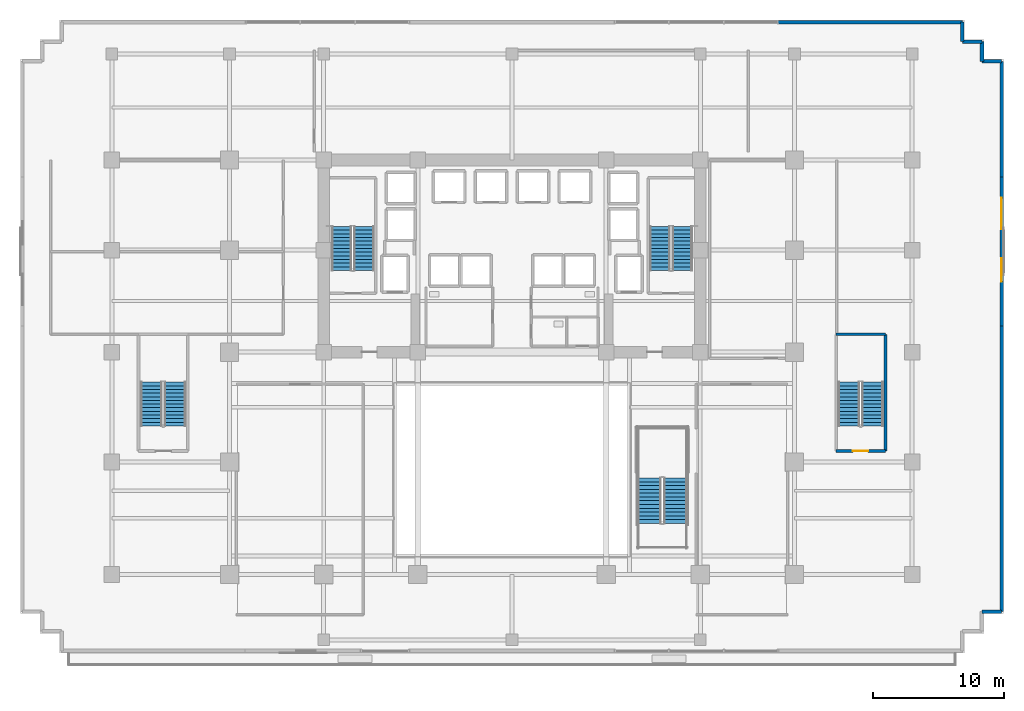
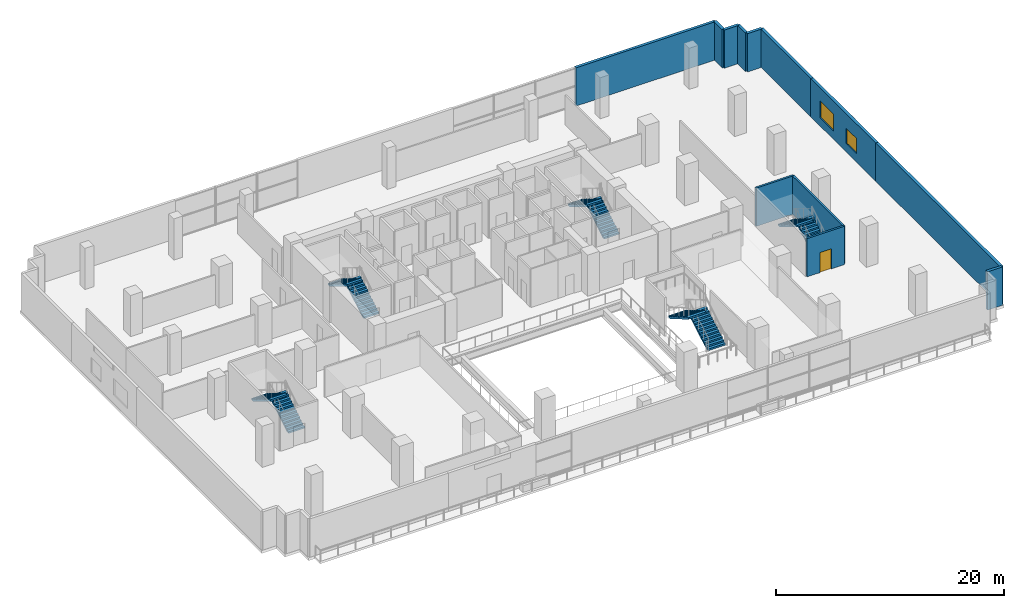
# One storey, part 15 of 22: 12 walls, 10 stair flights, 2 windows, 1 door, 3 openings, 5 elements without a shape of their own.
"""IFC4 building model written with IfcOpenShell, lengths in metres."""

from ifc_helpers import new_model, si_unit, direction, frame, frame_2d, origin, place, context, subcontext, project, spatial, polyline, rectangle, outline, extrude, source, transform, mapped, material, layer, layer_set, type_object, element, fill, aggregate, save


model = new_model("IFC4")

# Units and contexts
model_context = context("Model", 3, precision=1e-05, world=origin(), true_north=direction((0.0, 1.0)))
body_context = subcontext(model_context, "Body", "Model", "MODEL_VIEW")
ifc_project = project(units=[si_unit("LENGTHUNIT", "METRE"), si_unit("AREAUNIT", "SQUARE_METRE"), si_unit("VOLUMEUNIT", "CUBIC_METRE"), si_unit("PLANEANGLEUNIT", "RADIAN"), si_unit("MASSUNIT", "GRAM", prefix="KILO")], contexts=[model_context])

# Site, building, storey
site_placement = place(None, origin())
site = spatial("IfcSite", under=ifc_project, at=site_placement, CompositionType="ELEMENT")
building_placement = place(site_placement, origin())
building = spatial("IfcBuilding", under=site, at=building_placement, Name="Zarnakvel Exchange Tower", CompositionType="ELEMENT")
storey_placement = place(building_placement, frame((0.0, 0.0, 9.39990234375)))
storey = spatial("IfcBuildingStorey", under=building, at=storey_placement, Name="L02", CompositionType="ELEMENT", Elevation=9.39990234375)

# Wall, openings, windows
ifc_material_1 = material(Name="Precast concrete C40/50", Category="concrete")
ifc_layer_1 = layer(ifc_material_1, 0.280029296875)
ifc_layer_set_1 = layer_set([ifc_layer_1], Name="Precast concrete C40/50")
wall_type_1 = type_object("IfcWallType", Name="EW-01", PredefinedType="SOLIDWALL", material=ifc_layer_set_1)
wall_1_placement = place(storey_placement, frame((37.43994140625, 12.199951171875, 0.0), z_axis=(0.0, 0.0, 1.0), x_axis=(0.0, -1.0, 0.0)))
wall_1 = element("IfcWall", 1, at=wall_1_placement, inside=storey, type_object=wall_type_1, Name="L02 Exterior Precast Spandrel Wall EW-L02-EF (EW-01)", PredefinedType="SOLIDWALL", context=body_context, shape_type="SweptSolid", body=[
    extrude(rectangle(XDim=11.39990234375, YDim=0.280029296875, at=frame_2d((5.699951171875, 0.0))), origin(), (0.0, 0.0, 1.0), 4.10009765625),
])
opening_1_placement = place(wall_1_placement, frame((1.60009765625, 0.0, 0.89990234375)))
opening_1 = element("IfcOpeningElement", 2, at=opening_1_placement, cuts=wall_1, Name="Opening WN-01", PredefinedType="OPENING", context=body_context, shape_type="SweptSolid", body=[
    extrude(rectangle(XDim=2.39990234375, YDim=1.800048828125, at=frame_2d((1.199951171875, 0.89990234375))), frame((0.0, 0.14990234375, 0.0), z_axis=(0.0, -1.0, 0.0), x_axis=(1.0, 0.0, 0.0)), (0.0, 0.0, 1.0), 0.300048828125),
])
opening_2_placement = place(wall_1_placement, frame((6.199951171875, 0.0, 0.89990234375)))
opening_2 = element("IfcOpeningElement", 3, at=opening_2_placement, cuts=wall_1, Name="Opening WN-02", PredefinedType="OPENING", context=body_context, shape_type="SweptSolid", body=[
    extrude(rectangle(XDim=1.800048828125, YDim=1.64990234375, at=frame_2d((0.89990234375, 0.824951171875))), frame((0.0, 0.14990234375, 0.0), z_axis=(0.0, -1.0, 0.0), x_axis=(1.0, 0.0, 0.0)), (0.0, 0.0, 1.0), 0.300048828125),
])
ifc_material_2 = material(Name="Double Low-E Laminated Vision Glass", Category="glass")
window_type_1 = type_object("IfcWindowType", Name="WN-01", PartitioningType="SINGLE_PANEL", PredefinedType="WINDOW", material=ifc_material_2)
shared_shape_1 = source(origin(), body_context, "Body", "SweptSolid", [
    extrude(rectangle(XDim=2.39990234375, YDim=1.800048828125, at=frame_2d((1.199951171875, 0.89990234375))), frame((0.0, 0.030029296875, 0.0), z_axis=(0.0, -1.0, 0.0), x_axis=(1.0, 0.0, 0.0)), (0.0, 0.0, 1.0), 0.06005859375),
])
window_1_placement = place(opening_1_placement, origin())
window_1 = element("IfcWindow", 4, at=window_1_placement, inside=storey, type_object=window_type_1, Name="L02 East Flank Window 1", OverallHeight=1.800048828125, OverallWidth=2.39990234375, PartitioningType="SINGLE_PANEL", PredefinedType="WINDOW", context=body_context, shape_type="MappedRepresentation", body=[
    mapped(shared_shape_1, transform((0.0, 0.0, 0.0), x_axis=(1.0, 0.0, 0.0), y_axis=(0.0, 1.0, 0.0), z_axis=(0.0, 0.0, 1.0), scale=1.0)),
])
fill(opening_1, window_1)
window_type_2 = type_object("IfcWindowType", Name="WN-02", PartitioningType="SINGLE_PANEL", PredefinedType="WINDOW", material=ifc_material_2)
shared_shape_2 = source(origin(), body_context, "Body", "SweptSolid", [
    extrude(rectangle(XDim=1.800048828125, YDim=1.64990234375, at=frame_2d((0.89990234375, 0.824951171875))), frame((0.0, 0.030029296875, 0.0), z_axis=(0.0, -1.0, 0.0), x_axis=(1.0, 0.0, 0.0)), (0.0, 0.0, 1.0), 0.06005859375),
])
window_2_placement = place(opening_2_placement, origin())
window_2 = element("IfcWindow", 5, at=window_2_placement, inside=storey, type_object=window_type_2, Name="L02 East Flank Window 2", OverallHeight=1.64990234375, OverallWidth=1.800048828125, PartitioningType="SINGLE_PANEL", PredefinedType="WINDOW", context=body_context, shape_type="MappedRepresentation", body=[
    mapped(shared_shape_2, transform((0.0, 0.0, 0.0), x_axis=(1.0, 0.0, 0.0), y_axis=(0.0, 1.0, 0.0), z_axis=(0.0, 0.0, 1.0), scale=1.0)),
])
fill(opening_2, window_2)

# Walls
wall_2_placement = place(storey_placement, frame((34.43994140625, 24.0400390625, 0.0), z_axis=(0.0, 0.0, 1.0), x_axis=(-1.0, 0.0, 0.0)))
element("IfcWall", 6, at=wall_2_placement, inside=storey, type_object=wall_type_1, Name="L02 Exterior Precast Spandrel Wall EWC-L02-09 (EW-01)", PredefinedType="SOLIDWALL", context=body_context, shape_type="SweptSolid", body=[
    extrude(rectangle(XDim=14.135009765625, YDim=0.280029296875, at=frame_2d((7.0673828125, 0.0))), origin(), (0.0, 0.0, 1.0), 4.10009765625),
])
for number, where, z_axis, x_axis, name in (
    (7, (34.43994140625, 22.5400390625, 0.0), (0.0, 0.0, 1.0), (0.0, 1.0, 0.0), "L02 Exterior Precast Spandrel Wall EWC-L02-10 (EW-01)"),
    (8, (35.93994140625, 22.5400390625, 0.0), (0.0, 0.0, 1.0), (-1.0, 0.0, 0.0), "L02 Exterior Precast Spandrel Wall EWC-L02-11 (EW-01)"),
    (9, (35.93994140625, 21.0400390625, 0.0), (0.0, 0.0, 1.0), (0.0, 1.0, 0.0), "L02 Exterior Precast Spandrel Wall EWC-L02-12 (EW-01)"),
    (10, (37.43994140625, 21.0400390625, 0.0), (0.0, 0.0, 1.0), (-1.0, 0.0, 0.0), "L02 Exterior Precast Spandrel Wall EWC-L02-13 (EW-01)"),
):
    element("IfcWall", number, at=place(storey_placement, frame(where, z_axis=z_axis, x_axis=x_axis)), inside=storey, type_object=wall_type_1, Name=name, PredefinedType="SOLIDWALL", context=body_context, shape_type="SweptSolid", body=[
        extrude(rectangle(XDim=1.5, YDim=0.280029296875, at=frame_2d((0.75, 0.0))), origin(), (0.0, 0.0, 1.0), 4.10009765625),
    ])
wall_3_placement = place(storey_placement, frame((37.43994140625, 12.199951171875, 0.0), z_axis=(0.0, 0.0, 1.0), x_axis=(0.0, 1.0, 0.0)))
element("IfcWall", 11, at=wall_3_placement, inside=storey, type_object=wall_type_1, Name="L02 Exterior Precast Spandrel Wall EWC-L02-14 (EW-01)", PredefinedType="SOLIDWALL", context=body_context, shape_type="SweptSolid", body=[
    extrude(rectangle(XDim=8.840087890625, YDim=0.280029296875, at=frame_2d((4.419921875, 0.0))), origin(), (0.0, 0.0, 1.0), 4.10009765625),
])
wall_4_placement = place(storey_placement, frame((37.43994140625, -21.0400390625, 0.0), z_axis=(0.0, 0.0, 1.0), x_axis=(0.0, 1.0, 0.0)))
element("IfcWall", 12, at=wall_4_placement, inside=storey, type_object=wall_type_1, Name="L02 Exterior Precast Spandrel Wall EWC-L02-15 (EW-01)", PredefinedType="SOLIDWALL", context=body_context, shape_type="SweptSolid", body=[
    extrude(rectangle(XDim=21.840087890625, YDim=0.280029296875, at=frame_2d((10.919921875, 0.0))), origin(), (0.0, 0.0, 1.0), 4.10009765625),
])
wall_5_placement = place(storey_placement, frame((35.93994140625, -21.0400390625, 0.0), z_axis=(0.0, 0.0, 1.0), x_axis=(1.0, 0.0, 0.0)))
element("IfcWall", 13, at=wall_5_placement, inside=storey, type_object=wall_type_1, Name="L02 Exterior Precast Spandrel Wall EWC-L02-16 (EW-01)", PredefinedType="SOLIDWALL", context=body_context, shape_type="SweptSolid", body=[
    extrude(rectangle(XDim=1.5, YDim=0.280029296875, at=frame_2d((0.75, 0.0))), origin(), (0.0, 0.0, 1.0), 4.10009765625),
])

# Wall, opening, door
ifc_material_3 = material(Name="Concrete C40/50", Category="concrete")
ifc_layer_2 = layer(ifc_material_3, 0.199951171875)
ifc_layer_set_2 = layer_set([ifc_layer_2], Name="Concrete C40/50")
wall_type_2 = type_object("IfcWallType", Name="SW-02", PredefinedType="SOLIDWALL", material=ifc_layer_set_2)
wall_6_placement = place(storey_placement, frame((28.56005859375, -8.760009765625, 0.0), z_axis=(0.0, 0.0, 1.0), x_axis=(-1.0, 0.0, 0.0)))
wall_6 = element("IfcWall", 14, at=wall_6_placement, inside=storey, type_object=wall_type_2, Name="L02 Stairwell Core Wall PWALL-L02-026 (SW-02)", PredefinedType="SOLIDWALL", context=body_context, shape_type="SweptSolid", body=[
    extrude(rectangle(XDim=3.77001953125, YDim=0.199951171875, at=frame_2d((1.885009765625, 0.0))), origin(), (0.0, 0.0, 1.0), 4.10009765625),
])
opening_3_placement = place(wall_6_placement, frame((1.3349609375, 0.0, 0.0)))
opening_3 = element("IfcOpeningElement", 15, at=opening_3_placement, cuts=wall_6, Name="Opening D-L02-10", PredefinedType="OPENING", context=body_context, shape_type="SweptSolid", body=[
    extrude(rectangle(XDim=1.14990234375, YDim=2.14990234375, at=frame_2d((0.574951171875, 1.074951171875))), frame((0.0, 0.10986328125, 0.0), z_axis=(0.0, -1.0, 0.0), x_axis=(1.0, 0.0, 0.0)), (0.0, 0.0, 1.0), 0.219970703125),
])
ifc_material_4 = material(Name="Painted Galvanised Steel S355", Category="steel")
door_type = type_object("IfcDoorType", Name="DT-04", OperationType="NOTDEFINED", PredefinedType="DOOR", material=ifc_material_4)
shared_shape_3 = source(origin(), body_context, "Body", "SweptSolid", [
    extrude(rectangle(XDim=1.14990234375, YDim=2.14990234375, at=frame_2d((0.574951171875, 1.074951171875))), frame((0.0, 0.02490234375, 0.0), z_axis=(0.0, -1.0, 0.0), x_axis=(1.0, 0.0, 0.0)), (0.0, 0.0, 1.0), 0.050048828125),
])
door_placement = place(opening_3_placement, origin())
door = element("IfcDoor", 16, at=door_placement, inside=storey, type_object=door_type, Name="L02 Stairwell ST-04 Door D-L02-10", OperationType="SINGLE_SWING_RIGHT", OverallHeight=2.14990234375, OverallWidth=1.14990234375, PredefinedType="DOOR", context=body_context, shape_type="MappedRepresentation", body=[
    mapped(shared_shape_3, transform((0.0, 0.0, 0.0), x_axis=(1.0, 0.0, 0.0), y_axis=(0.0, 1.0, 0.0), z_axis=(0.0, 0.0, 1.0), scale=1.0)),
])
fill(opening_3, door)

# Walls
wall_7_placement = place(storey_placement, frame((24.7900390625, 0.159912109375, 0.0), z_axis=(0.0, 0.0, 1.0), x_axis=(1.0, 0.0, 0.0)))
element("IfcWall", 17, at=wall_7_placement, inside=storey, type_object=wall_type_2, Name="L02 Stairwell Core Wall PWALL-L02-027 (SW-02)", PredefinedType="SOLIDWALL", context=body_context, shape_type="SweptSolid", body=[
    extrude(rectangle(XDim=3.77001953125, YDim=0.199951171875, at=frame_2d((1.885009765625, 0.0))), origin(), (0.0, 0.0, 1.0), 4.10009765625),
])
wall_8_placement = place(storey_placement, frame((28.56005859375, 0.159912109375, 0.0), z_axis=(0.0, 0.0, 1.0), x_axis=(0.0, -1.0, 0.0)))
element("IfcWall", 18, at=wall_8_placement, inside=storey, type_object=wall_type_2, Name="L02 Stairwell Core Wall PWALL-L02-029 (SW-02)", PredefinedType="SOLIDWALL", context=body_context, shape_type="SweptSolid", body=[
    extrude(rectangle(XDim=8.919921875, YDim=0.199951171875, at=frame_2d((4.4599609375, 0.0))), origin(), (0.0, 0.0, 1.0), 4.10009765625),
])

# Stair, stair flights
stair_type_1 = type_object("IfcStairType", Name="STR-01", PredefinedType="HALF_TURN_STAIR", material=ifc_material_3)
stair_1_placement = place(storey_placement, origin())
stair_1 = element("IfcStair", 19, at=stair_1_placement, inside=storey, type_object=stair_type_1, Name="L02 Protected Core Exit Stair ST-01", PredefinedType="HALF_TURN_STAIR")
stair_flight_type_1 = type_object("IfcStairFlightType", Name="FLT-01", PredefinedType="STRAIGHT", material=ifc_material_3)
stair_flight_1_placement = place(storey_placement, frame((-11.31494140625, 5.050048828125, 0.0), z_axis=(0.0, 0.0, 1.0), x_axis=(0.0, 1.0, 0.0)))
stair_flight_1 = element("IfcStairFlight", 20, at=stair_flight_1_placement, type_object=stair_flight_type_1, Name="ST-01 flight 1", NumberOfRisers=13, NumberOfTreads=12, PredefinedType="STRAIGHT", RiserHeight=0.169230769, TreadLength=0.28, context=body_context, shape_type="SweptSolid", body=[
    extrude(outline(polyline([(0.0, 0.0), (0.0, 0.169189453125), (0.280029296875, 0.169189453125), (0.280029296875, 0.33837890625), (0.56005859375, 0.33837890625), (0.56005859375, 0.5078125), (0.840087890625, 0.5078125), (0.840087890625, 0.677001953125), (1.1201171875, 0.677001953125), (1.1201171875, 0.84619140625), (1.39990234375, 0.84619140625), (1.39990234375, 1.015380859375), (1.679931640625, 1.015380859375), (1.679931640625, 1.1845703125), (1.9599609375, 1.1845703125), (1.9599609375, 1.353759765625), (2.239990234375, 1.353759765625), (2.239990234375, 1.523193359375), (2.52001953125, 1.523193359375), (2.52001953125, 1.6923828125), (2.800048828125, 1.6923828125), (2.800048828125, 1.861572265625), (3.080078125, 1.861572265625), (3.080078125, 2.03076171875), (3.360107421875, 2.03076171875), (3.360107421875, 2.199951171875), (3.360107421875, 1.855712890625), (0.289794921875, 0.0), (0.0, 0.0)])), frame((0.0, 0.77490234375, 0.0), z_axis=(0.0, -1.0, 0.0), x_axis=(1.0, 0.0, 0.0)), (0.0, 0.0, 1.0), 1.550048828125),
])
stair_flight_2_placement = place(storey_placement, frame((-13.02490234375, 8.409912109375, 2.2001953125), z_axis=(0.0, 0.0, 1.0), x_axis=(0.0, -1.0, 0.0)))
stair_flight_2 = element("IfcStairFlight", 21, at=stair_flight_2_placement, type_object=stair_flight_type_1, Name="ST-01 flight 2", NumberOfRisers=13, NumberOfTreads=12, PredefinedType="STRAIGHT", RiserHeight=0.169230769, TreadLength=0.28, context=body_context, shape_type="SweptSolid", body=[
    extrude(outline(polyline([(0.0, 0.0), (0.0, 0.169189453125), (0.280029296875, 0.169189453125), (0.280029296875, 0.33837890625), (0.56005859375, 0.33837890625), (0.56005859375, 0.5078125), (0.840087890625, 0.5078125), (0.840087890625, 0.677001953125), (1.1201171875, 0.677001953125), (1.1201171875, 0.84619140625), (1.39990234375, 0.84619140625), (1.39990234375, 1.015380859375), (1.679931640625, 1.015380859375), (1.679931640625, 1.1845703125), (1.9599609375, 1.1845703125), (1.9599609375, 1.353759765625), (2.239990234375, 1.353759765625), (2.239990234375, 1.523193359375), (2.52001953125, 1.523193359375), (2.52001953125, 1.6923828125), (2.800048828125, 1.6923828125), (2.800048828125, 1.861572265625), (3.080078125, 1.861572265625), (3.080078125, 2.03076171875), (3.360107421875, 2.03076171875), (3.360107421875, 2.199951171875), (3.360107421875, 1.855712890625), (0.289794921875, 0.0), (0.0, 0.0)])), frame((0.0, 0.77490234375, 0.0), z_axis=(0.0, -1.0, 0.0), x_axis=(1.0, 0.0, 0.0)), (0.0, 0.0, 1.0), 1.550048828125),
])
aggregate(stair_1, [stair_flight_1, stair_flight_2])

stair_2_placement = place(storey_placement, origin())
stair_2 = element("IfcStair", 22, at=stair_2_placement, inside=storey, type_object=stair_type_1, Name="L02 Protected Core Exit Stair ST-02", PredefinedType="HALF_TURN_STAIR")
stair_flight_3_placement = place(storey_placement, frame((13.02490234375, 5.050048828125, 0.0), z_axis=(0.0, 0.0, 1.0), x_axis=(0.0, 1.0, 0.0)))
stair_flight_3 = element("IfcStairFlight", 23, at=stair_flight_3_placement, type_object=stair_flight_type_1, Name="ST-02 flight 1", NumberOfRisers=13, NumberOfTreads=12, PredefinedType="STRAIGHT", RiserHeight=0.169230769, TreadLength=0.28, context=body_context, shape_type="SweptSolid", body=[
    extrude(outline(polyline([(0.0, 0.0), (0.0, 0.169189453125), (0.280029296875, 0.169189453125), (0.280029296875, 0.33837890625), (0.56005859375, 0.33837890625), (0.56005859375, 0.5078125), (0.840087890625, 0.5078125), (0.840087890625, 0.677001953125), (1.1201171875, 0.677001953125), (1.1201171875, 0.84619140625), (1.39990234375, 0.84619140625), (1.39990234375, 1.015380859375), (1.679931640625, 1.015380859375), (1.679931640625, 1.1845703125), (1.9599609375, 1.1845703125), (1.9599609375, 1.353759765625), (2.239990234375, 1.353759765625), (2.239990234375, 1.523193359375), (2.52001953125, 1.523193359375), (2.52001953125, 1.6923828125), (2.800048828125, 1.6923828125), (2.800048828125, 1.861572265625), (3.080078125, 1.861572265625), (3.080078125, 2.03076171875), (3.360107421875, 2.03076171875), (3.360107421875, 2.199951171875), (3.360107421875, 1.855712890625), (0.289794921875, 0.0), (0.0, 0.0)])), frame((0.0, 0.77490234375, 0.0), z_axis=(0.0, -1.0, 0.0), x_axis=(1.0, 0.0, 0.0)), (0.0, 0.0, 1.0), 1.550048828125),
])
stair_flight_4_placement = place(storey_placement, frame((11.31494140625, 8.409912109375, 2.2001953125), z_axis=(0.0, 0.0, 1.0), x_axis=(0.0, -1.0, 0.0)))
stair_flight_4 = element("IfcStairFlight", 24, at=stair_flight_4_placement, type_object=stair_flight_type_1, Name="ST-02 flight 2", NumberOfRisers=13, NumberOfTreads=12, PredefinedType="STRAIGHT", RiserHeight=0.169230769, TreadLength=0.28, context=body_context, shape_type="SweptSolid", body=[
    extrude(outline(polyline([(0.0, 0.0), (0.0, 0.169189453125), (0.280029296875, 0.169189453125), (0.280029296875, 0.33837890625), (0.56005859375, 0.33837890625), (0.56005859375, 0.5078125), (0.840087890625, 0.5078125), (0.840087890625, 0.677001953125), (1.1201171875, 0.677001953125), (1.1201171875, 0.84619140625), (1.39990234375, 0.84619140625), (1.39990234375, 1.015380859375), (1.679931640625, 1.015380859375), (1.679931640625, 1.1845703125), (1.9599609375, 1.1845703125), (1.9599609375, 1.353759765625), (2.239990234375, 1.353759765625), (2.239990234375, 1.523193359375), (2.52001953125, 1.523193359375), (2.52001953125, 1.6923828125), (2.800048828125, 1.6923828125), (2.800048828125, 1.861572265625), (3.080078125, 1.861572265625), (3.080078125, 2.03076171875), (3.360107421875, 2.03076171875), (3.360107421875, 2.199951171875), (3.360107421875, 1.855712890625), (0.289794921875, 0.0), (0.0, 0.0)])), frame((0.0, 0.77490234375, 0.0), z_axis=(0.0, -1.0, 0.0), x_axis=(1.0, 0.0, 0.0)), (0.0, 0.0, 1.0), 1.550048828125),
])
aggregate(stair_2, [stair_flight_3, stair_flight_4])

stair_type_2 = type_object("IfcStairType", Name="STR-02", PredefinedType="HALF_TURN_STAIR", material=ifc_material_3)
stair_3_placement = place(storey_placement, origin())
stair_3 = element("IfcStair", 25, at=stair_3_placement, inside=storey, type_object=stair_type_2, Name="L02 Podium West Exit Stair ST-03", PredefinedType="HALF_TURN_STAIR")
stair_flight_type_2 = type_object("IfcStairFlightType", Name="FLT-02", PredefinedType="STRAIGHT", material=ifc_material_3)
stair_flight_5_placement = place(storey_placement, frame((-25.764892578125, -6.85009765625, 0.0), z_axis=(0.0, 0.0, 1.0), x_axis=(0.0, 1.0, 0.0)))
stair_flight_5 = element("IfcStairFlight", 26, at=stair_flight_5_placement, type_object=stair_flight_type_2, Name="ST-03 flight 1", NumberOfRisers=13, NumberOfTreads=12, PredefinedType="STRAIGHT", RiserHeight=0.169230769, TreadLength=0.28, context=body_context, shape_type="SweptSolid", body=[
    extrude(outline(polyline([(0.0, 0.0), (0.0, 0.169189453125), (0.280029296875, 0.169189453125), (0.280029296875, 0.33837890625), (0.56005859375, 0.33837890625), (0.56005859375, 0.5078125), (0.840087890625, 0.5078125), (0.840087890625, 0.677001953125), (1.1201171875, 0.677001953125), (1.1201171875, 0.84619140625), (1.39990234375, 0.84619140625), (1.39990234375, 1.015380859375), (1.679931640625, 1.015380859375), (1.679931640625, 1.1845703125), (1.9599609375, 1.1845703125), (1.9599609375, 1.353759765625), (2.239990234375, 1.353759765625), (2.239990234375, 1.523193359375), (2.52001953125, 1.523193359375), (2.52001953125, 1.6923828125), (2.800048828125, 1.6923828125), (2.800048828125, 1.861572265625), (3.080078125, 1.861572265625), (3.080078125, 2.03076171875), (3.360107421875, 2.03076171875), (3.360107421875, 2.199951171875), (3.360107421875, 1.855712890625), (0.289794921875, 0.0), (0.0, 0.0)])), frame((0.0, 0.824951171875, 0.0), z_axis=(0.0, -1.0, 0.0), x_axis=(1.0, 0.0, 0.0)), (0.0, 0.0, 1.0), 1.64990234375),
])
stair_flight_6_placement = place(storey_placement, frame((-27.574951171875, -3.489990234375, 2.2001953125), z_axis=(0.0, 0.0, 1.0), x_axis=(0.0, -1.0, 0.0)))
stair_flight_6 = element("IfcStairFlight", 27, at=stair_flight_6_placement, type_object=stair_flight_type_2, Name="ST-03 flight 2", NumberOfRisers=13, NumberOfTreads=12, PredefinedType="STRAIGHT", RiserHeight=0.169230769, TreadLength=0.28, context=body_context, shape_type="SweptSolid", body=[
    extrude(outline(polyline([(0.0, 0.0), (0.0, 0.169189453125), (0.280029296875, 0.169189453125), (0.280029296875, 0.33837890625), (0.56005859375, 0.33837890625), (0.56005859375, 0.5078125), (0.840087890625, 0.5078125), (0.840087890625, 0.677001953125), (1.1201171875, 0.677001953125), (1.1201171875, 0.84619140625), (1.39990234375, 0.84619140625), (1.39990234375, 1.015380859375), (1.679931640625, 1.015380859375), (1.679931640625, 1.1845703125), (1.9599609375, 1.1845703125), (1.9599609375, 1.353759765625), (2.239990234375, 1.353759765625), (2.239990234375, 1.523193359375), (2.52001953125, 1.523193359375), (2.52001953125, 1.6923828125), (2.800048828125, 1.6923828125), (2.800048828125, 1.861572265625), (3.080078125, 1.861572265625), (3.080078125, 2.03076171875), (3.360107421875, 2.03076171875), (3.360107421875, 2.199951171875), (3.360107421875, 1.855712890625), (0.289794921875, 0.0), (0.0, 0.0)])), frame((0.0, 0.824951171875, 0.0), z_axis=(0.0, -1.0, 0.0), x_axis=(1.0, 0.0, 0.0)), (0.0, 0.0, 1.0), 1.64990234375),
])
aggregate(stair_3, [stair_flight_5, stair_flight_6])

stair_4_placement = place(storey_placement, origin())
stair_4 = element("IfcStair", 28, at=stair_4_placement, inside=storey, type_object=stair_type_2, Name="L02 Podium East Exit Stair ST-04", PredefinedType="HALF_TURN_STAIR")
stair_flight_7_placement = place(storey_placement, frame((27.574951171875, -6.85009765625, 0.0), z_axis=(0.0, 0.0, 1.0), x_axis=(0.0, 1.0, 0.0)))
stair_flight_7 = element("IfcStairFlight", 29, at=stair_flight_7_placement, type_object=stair_flight_type_2, Name="ST-04 flight 1", NumberOfRisers=13, NumberOfTreads=12, PredefinedType="STRAIGHT", RiserHeight=0.169230769, TreadLength=0.28, context=body_context, shape_type="SweptSolid", body=[
    extrude(outline(polyline([(0.0, 0.0), (0.0, 0.169189453125), (0.280029296875, 0.169189453125), (0.280029296875, 0.33837890625), (0.56005859375, 0.33837890625), (0.56005859375, 0.5078125), (0.840087890625, 0.5078125), (0.840087890625, 0.677001953125), (1.1201171875, 0.677001953125), (1.1201171875, 0.84619140625), (1.39990234375, 0.84619140625), (1.39990234375, 1.015380859375), (1.679931640625, 1.015380859375), (1.679931640625, 1.1845703125), (1.9599609375, 1.1845703125), (1.9599609375, 1.353759765625), (2.239990234375, 1.353759765625), (2.239990234375, 1.523193359375), (2.52001953125, 1.523193359375), (2.52001953125, 1.6923828125), (2.800048828125, 1.6923828125), (2.800048828125, 1.861572265625), (3.080078125, 1.861572265625), (3.080078125, 2.03076171875), (3.360107421875, 2.03076171875), (3.360107421875, 2.199951171875), (3.360107421875, 1.855712890625), (0.289794921875, 0.0), (0.0, 0.0)])), frame((0.0, 0.824951171875, 0.0), z_axis=(0.0, -1.0, 0.0), x_axis=(1.0, 0.0, 0.0)), (0.0, 0.0, 1.0), 1.64990234375),
])
stair_flight_8_placement = place(storey_placement, frame((25.764892578125, -3.489990234375, 2.2001953125), z_axis=(0.0, 0.0, 1.0), x_axis=(0.0, -1.0, 0.0)))
stair_flight_8 = element("IfcStairFlight", 30, at=stair_flight_8_placement, type_object=stair_flight_type_2, Name="ST-04 flight 2", NumberOfRisers=13, NumberOfTreads=12, PredefinedType="STRAIGHT", RiserHeight=0.169230769, TreadLength=0.28, context=body_context, shape_type="SweptSolid", body=[
    extrude(outline(polyline([(0.0, 0.0), (0.0, 0.169189453125), (0.280029296875, 0.169189453125), (0.280029296875, 0.33837890625), (0.56005859375, 0.33837890625), (0.56005859375, 0.5078125), (0.840087890625, 0.5078125), (0.840087890625, 0.677001953125), (1.1201171875, 0.677001953125), (1.1201171875, 0.84619140625), (1.39990234375, 0.84619140625), (1.39990234375, 1.015380859375), (1.679931640625, 1.015380859375), (1.679931640625, 1.1845703125), (1.9599609375, 1.1845703125), (1.9599609375, 1.353759765625), (2.239990234375, 1.353759765625), (2.239990234375, 1.523193359375), (2.52001953125, 1.523193359375), (2.52001953125, 1.6923828125), (2.800048828125, 1.6923828125), (2.800048828125, 1.861572265625), (3.080078125, 1.861572265625), (3.080078125, 2.03076171875), (3.360107421875, 2.03076171875), (3.360107421875, 2.199951171875), (3.360107421875, 1.855712890625), (0.289794921875, 0.0), (0.0, 0.0)])), frame((0.0, 0.824951171875, 0.0), z_axis=(0.0, -1.0, 0.0), x_axis=(1.0, 0.0, 0.0)), (0.0, 0.0, 1.0), 1.64990234375),
])
aggregate(stair_4, [stair_flight_7, stair_flight_8])

stair_type_3 = type_object("IfcStairType", Name="STR-04", PredefinedType="HALF_TURN_STAIR", material=ifc_material_3)
stair_5_placement = place(storey_placement, origin())
stair_5 = element("IfcStair", 31, at=stair_5_placement, inside=storey, type_object=stair_type_3, Name="L02 Exchange Concourse Atrium Feature Stair ST-06", PredefinedType="HALF_TURN_STAIR")
stair_flight_type_3 = type_object("IfcStairFlightType", Name="FLT-04", PredefinedType="STRAIGHT", material=ifc_material_3)
stair_flight_9_placement = place(storey_placement, frame((12.5, -14.300048828125, 0.0), z_axis=(0.0, 0.0, 1.0), x_axis=(0.0, 1.0, 0.0)))
stair_flight_9 = element("IfcStairFlight", 32, at=stair_flight_9_placement, type_object=stair_flight_type_3, Name="ST-06 flight 1", NumberOfRisers=13, NumberOfTreads=12, PredefinedType="STRAIGHT", RiserHeight=0.169230769, TreadLength=0.29, context=body_context, shape_type="SweptSolid", body=[
    extrude(outline(polyline([(0.0, 0.0), (0.0, 0.169189453125), (0.2900390625, 0.169189453125), (0.2900390625, 0.33837890625), (0.580078125, 0.33837890625), (0.580078125, 0.5078125), (0.8701171875, 0.5078125), (0.8701171875, 0.677001953125), (1.159912109375, 0.677001953125), (1.159912109375, 0.84619140625), (1.449951171875, 0.84619140625), (1.449951171875, 1.015380859375), (1.739990234375, 1.015380859375), (1.739990234375, 1.1845703125), (2.030029296875, 1.1845703125), (2.030029296875, 1.353759765625), (2.320068359375, 1.353759765625), (2.320068359375, 1.523193359375), (2.610107421875, 1.523193359375), (2.610107421875, 1.6923828125), (2.89990234375, 1.6923828125), (2.89990234375, 1.861572265625), (3.18994140625, 1.861572265625), (3.18994140625, 2.03076171875), (3.47998046875, 2.03076171875), (3.47998046875, 2.199951171875), (3.47998046875, 1.857177734375), (0.29736328125, 0.0), (0.0, 0.0)])), frame((0.0, 0.89990234375, 0.0), z_axis=(0.0, -1.0, 0.0), x_axis=(1.0, 0.0, 0.0)), (0.0, 0.0, 1.0), 1.800048828125),
])
stair_flight_10_placement = place(storey_placement, frame((10.5, -10.820068359375, 2.2001953125), z_axis=(0.0, 0.0, 1.0), x_axis=(0.0, -1.0, 0.0)))
stair_flight_10 = element("IfcStairFlight", 33, at=stair_flight_10_placement, type_object=stair_flight_type_3, Name="ST-06 flight 2", NumberOfRisers=13, NumberOfTreads=12, PredefinedType="STRAIGHT", RiserHeight=0.169230769, TreadLength=0.29, context=body_context, shape_type="SweptSolid", body=[
    extrude(outline(polyline([(0.0, 0.0), (0.0, 0.169189453125), (0.2900390625, 0.169189453125), (0.2900390625, 0.33837890625), (0.580078125, 0.33837890625), (0.580078125, 0.5078125), (0.8701171875, 0.5078125), (0.8701171875, 0.677001953125), (1.159912109375, 0.677001953125), (1.159912109375, 0.84619140625), (1.449951171875, 0.84619140625), (1.449951171875, 1.015380859375), (1.739990234375, 1.015380859375), (1.739990234375, 1.1845703125), (2.030029296875, 1.1845703125), (2.030029296875, 1.353759765625), (2.320068359375, 1.353759765625), (2.320068359375, 1.523193359375), (2.610107421875, 1.523193359375), (2.610107421875, 1.6923828125), (2.89990234375, 1.6923828125), (2.89990234375, 1.861572265625), (3.18994140625, 1.861572265625), (3.18994140625, 2.03076171875), (3.47998046875, 2.03076171875), (3.47998046875, 2.199951171875), (3.47998046875, 1.857177734375), (0.29736328125, 0.0), (0.0, 0.0)])), frame((0.0, 0.89990234375, 0.0), z_axis=(0.0, -1.0, 0.0), x_axis=(1.0, 0.0, 0.0)), (0.0, 0.0, 1.0), 1.800048828125),
])
aggregate(stair_5, [stair_flight_9, stair_flight_10])

save(model, "model.ifc")
